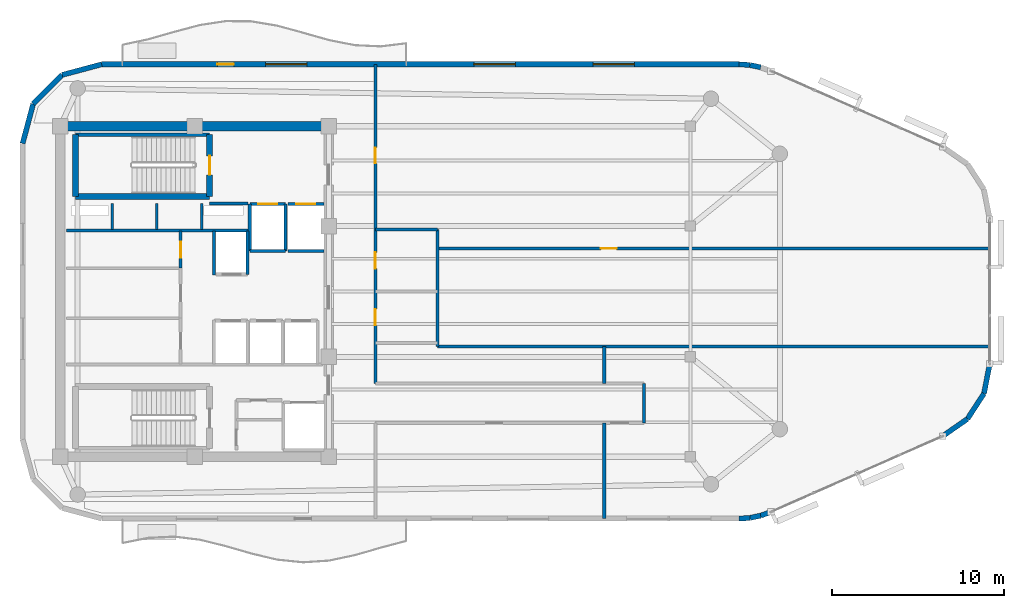
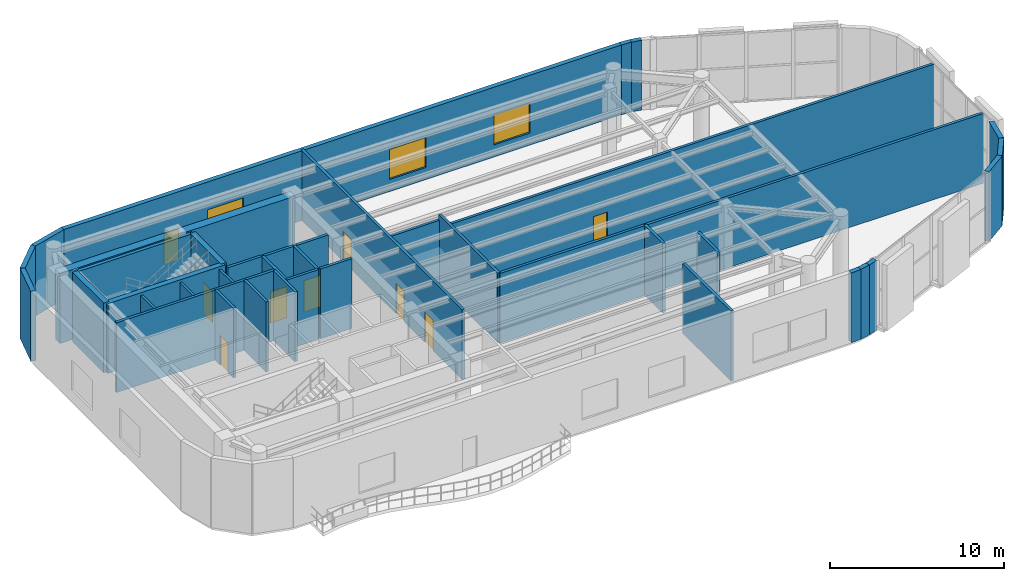
# One storey, part 9 of 12: 39 walls, 9 doors, 3 windows, 12 openings.
"""IFC4 building model written with IfcOpenShell, lengths in metres."""

from ifc_helpers import new_model, si_unit, direction, frame, frame_2d, origin, place, context, subcontext, project, spatial, rectangle, extrude, material, layer, layer_set, type_object, element, fill, save


model = new_model("IFC4")

# Units and contexts
model_context = context("Model", 3, precision=1e-05, world=origin(), true_north=direction((0.0, 1.0)))
body_context = subcontext(model_context, "Body", "Model", "MODEL_VIEW")
ifc_project = project(units=[si_unit("LENGTHUNIT", "METRE"), si_unit("AREAUNIT", "SQUARE_METRE"), si_unit("VOLUMEUNIT", "CUBIC_METRE"), si_unit("PLANEANGLEUNIT", "RADIAN"), si_unit("MASSUNIT", "GRAM", prefix="KILO")], contexts=[model_context])

# Site, building, storey
site_placement = place(None, origin())
site = spatial("IfcSite", under=ifc_project, at=site_placement, CompositionType="ELEMENT")
building_placement = place(site_placement, origin())
building = spatial("IfcBuilding", under=site, at=building_placement, Name="An Khanh Terracotta Commons", CompositionType="ELEMENT")
storey_placement = place(building_placement, frame((0.0, 0.0, 253.699951171875)))
storey = spatial("IfcBuildingStorey", under=building, at=storey_placement, Name="L66", CompositionType="ELEMENT", Elevation=253.699951171875)

# Walls
ifc_material_1 = material(Name="Concrete C50/60", Category="concrete")
ifc_layer_1 = layer(ifc_material_1, 0.550048828125, Name="Concrete C50/60")
ifc_layer_set_1 = layer_set([ifc_layer_1], Name="Concrete C50/60")
wall_type_1 = type_object("IfcWallType", Name="WALL-CORE-550", PredefinedType="SHEAR", material=ifc_layer_set_1)
wall_1_placement = place(storey_placement, frame((21.60009765625, 33.60009765625, 0.0), z_axis=(0.0, 0.0, 1.0), x_axis=(1.0, 0.0, 0.0)))
element("IfcWall", 1, at=wall_1_placement, inside=storey, type_object=wall_type_1, Name="L66 Core Wall CWALL-L66-N", PredefinedType="SHEAR", context=body_context, shape_type="SweptSolid", body=[
    extrude(rectangle(XDim=15.599853515625, YDim=0.550048828125, at=frame_2d((7.7998046875, 0.0))), origin(), (0.0, 0.0, 1.0), 4.900146484375),
])
ifc_material_2 = material(Name="Fire-Rated Gypsum Board on Steel Stud", Category="steel")
ifc_layer_2 = layer(ifc_material_2, 0.179931640625, Name="Fire-Rated Gypsum Board on Steel Stud")
ifc_layer_set_2 = layer_set([ifc_layer_2], Name="Fire-Rated Gypsum Board on Steel Stud")
wall_type_2 = type_object("IfcWallType", Name="WALL-CORR-180", PredefinedType="PARTITIONING", material=ifc_layer_set_2)
wall_2_placement = place(storey_placement, frame((30.27001953125, 29.1201171875, 0.0), z_axis=(0.0, 0.0, 1.0), x_axis=(1.0, 0.0, 0.0)))
element("IfcWall", 2, at=wall_2_placement, inside=storey, type_object=wall_type_2, Name="L66 Core Wall FFLW-L66-S", PredefinedType="PARTITIONING", context=body_context, shape_type="SweptSolid", body=[
    extrude(rectangle(XDim=2.239990234375, YDim=0.179931640625, at=frame_2d((1.1201171875, 0.0))), origin(), (0.0, 0.0, 1.0), 4.900146484375),
])
wall_3_placement = place(storey_placement, frame((21.949951171875, 27.5400390625, 0.0), z_axis=(0.0, 0.0, 1.0), x_axis=(1.0, 0.0, 0.0)))
element("IfcWall", 3, at=wall_3_placement, inside=storey, type_object=wall_type_2, Name="L66 Core Wall RSRW-L66-S", PredefinedType="PARTITIONING", context=body_context, shape_type="SweptSolid", body=[
    extrude(rectangle(XDim=10.56005859375, YDim=0.179931640625, at=frame_2d((5.280029296875, 0.0))), origin(), (0.0, 0.0, 1.0), 4.900146484375),
])

# Wall, opening, door
wall_4_placement = place(storey_placement, frame((32.60009765625, 29.080078125, 0.0), z_axis=(0.0, 0.0, 1.0), x_axis=(1.0, 0.0, 0.0)))
wall_4 = element("IfcWall", 4, at=wall_4_placement, inside=storey, type_object=wall_type_2, Name="L66 Core Wall LSH-L66-FFL-01-N", PredefinedType="PARTITIONING", context=body_context, shape_type="SweptSolid", body=[
    extrude(rectangle(XDim=2.079833984375, YDim=0.179931640625, at=frame_2d((1.0400390625, 0.0))), origin(), (0.0, 0.0, 1.0), 4.900146484375),
])
opening_1_placement = place(wall_4_placement, frame((0.489990234375, 0.0, 0.0)))
opening_1 = element("IfcOpeningElement", 5, at=opening_1_placement, cuts=wall_4, Name="Opening LD-FFL-01-L66", PredefinedType="OPENING", context=body_context, shape_type="SweptSolid", body=[
    extrude(rectangle(XDim=1.10009765625, YDim=2.199951171875, at=frame_2d((0.550048828125, 1.10009765625))), frame((0.0, 0.099853515625, 0.0), z_axis=(0.0, -1.0, 0.0), x_axis=(1.0, 0.0, 0.0)), (0.0, 0.0, 1.0), 0.199951171875),
])
ifc_material_3 = material(Name="Brushed Stainless Steel Fire Landing Door", Category="steel")
door_type_1 = type_object("IfcDoorType", Name="DOOR-LD-FFL-1100", OperationType="NOTDEFINED", PredefinedType="DOOR", material=ifc_material_3)
door_1_placement = place(opening_1_placement, origin())
door_1 = element("IfcDoor", 6, at=door_1_placement, inside=storey, type_object=door_type_1, Name="L66 Lift FFL-01 Sliding Landing Door", OperationType="DOUBLE_DOOR_SLIDING", OverallHeight=2.199951171875, OverallWidth=1.10009765625, PredefinedType="DOOR", context=body_context, shape_type="SweptSolid", body=[
    extrude(rectangle(XDim=1.10009765625, YDim=2.199951171875, at=frame_2d((0.550048828125, 1.10009765625))), frame((0.0, 0.02490234375, 0.0), z_axis=(0.0, -1.0, 0.0), x_axis=(1.0, 0.0, 0.0)), (0.0, 0.0, 1.0), 0.050048828125),
])
fill(opening_1, door_1)

# Walls
wall_5_placement = place(storey_placement, frame((34.679931640625, 26.35009765625, 0.0), z_axis=(0.0, 0.0, 1.0), x_axis=(-1.0, 0.0, 0.0)))
element("IfcWall", 7, at=wall_5_placement, inside=storey, type_object=wall_type_2, Name="L66 Core Wall LSH-L66-FFL-01-S", PredefinedType="PARTITIONING", context=body_context, shape_type="SweptSolid", body=[
    extrude(rectangle(XDim=2.079833984375, YDim=0.179931640625, at=frame_2d((1.0400390625, 0.0))), origin(), (0.0, 0.0, 1.0), 4.900146484375),
])
for number, where, z_axis, x_axis, name in (
    (8, (34.679931640625, 26.35009765625, 0.0), (0.0, 0.0, 1.0), (0.0, 1.0, 0.0), "L66 Core Wall LSH-L66-FFL-01-E"),
    (9, (32.60009765625, 29.080078125, 0.0), (0.0, 0.0, 1.0), (0.0, -1.0, 0.0), "L66 Core Wall LSH-L66-FFL-01-W"),
):
    element("IfcWall", number, at=place(storey_placement, frame(where, z_axis=z_axis, x_axis=x_axis)), inside=storey, type_object=wall_type_2, Name=name, PredefinedType="PARTITIONING", context=body_context, shape_type="SweptSolid", body=[
        extrude(rectangle(XDim=2.72998046875, YDim=0.179931640625, at=frame_2d((1.364990234375, 0.0))), origin(), (0.0, 0.0, 1.0), 4.900146484375),
    ])

# Wall, opening, door
wall_6_placement = place(storey_placement, frame((34.820068359375, 29.080078125, 0.0), z_axis=(0.0, 0.0, 1.0), x_axis=(1.0, 0.0, 0.0)))
wall_6 = element("IfcWall", 10, at=wall_6_placement, inside=storey, type_object=wall_type_2, Name="L66 Core Wall LSH-L66-FFL-02-N", PredefinedType="PARTITIONING", context=body_context, shape_type="SweptSolid", body=[
    extrude(rectangle(XDim=2.079833984375, YDim=0.179931640625, at=frame_2d((1.0400390625, 0.0))), origin(), (0.0, 0.0, 1.0), 4.900146484375),
])
opening_2_placement = place(wall_6_placement, frame((0.489990234375, 0.0, 0.0)))
opening_2 = element("IfcOpeningElement", 11, at=opening_2_placement, cuts=wall_6, Name="Opening LD-FFL-02-L66", PredefinedType="OPENING", context=body_context, shape_type="SweptSolid", body=[
    extrude(rectangle(XDim=1.10009765625, YDim=2.199951171875, at=frame_2d((0.550048828125, 1.10009765625))), frame((0.0, 0.099853515625, 0.0), z_axis=(0.0, -1.0, 0.0), x_axis=(1.0, 0.0, 0.0)), (0.0, 0.0, 1.0), 0.199951171875),
])
door_2_placement = place(opening_2_placement, origin())
door_2 = element("IfcDoor", 12, at=door_2_placement, inside=storey, type_object=door_type_1, Name="L66 Lift FFL-02 Sliding Landing Door", OperationType="DOUBLE_DOOR_SLIDING", OverallHeight=2.199951171875, OverallWidth=1.10009765625, PredefinedType="DOOR", context=body_context, shape_type="SweptSolid", body=[
    extrude(rectangle(XDim=1.10009765625, YDim=2.199951171875, at=frame_2d((0.550048828125, 1.10009765625))), frame((0.0, 0.02490234375, 0.0), z_axis=(0.0, -1.0, 0.0), x_axis=(1.0, 0.0, 0.0)), (0.0, 0.0, 1.0), 0.050048828125),
])
fill(opening_2, door_2)

# Walls
wall_7_placement = place(storey_placement, frame((36.89990234375, 26.35009765625, 0.0), z_axis=(0.0, 0.0, 1.0), x_axis=(-1.0, 0.0, 0.0)))
element("IfcWall", 13, at=wall_7_placement, inside=storey, type_object=wall_type_2, Name="L66 Core Wall LSH-L66-FFL-02-S", PredefinedType="PARTITIONING", context=body_context, shape_type="SweptSolid", body=[
    extrude(rectangle(XDim=2.079833984375, YDim=0.179931640625, at=frame_2d((1.0400390625, 0.0))), origin(), (0.0, 0.0, 1.0), 4.900146484375),
])
wall_8_placement = place(storey_placement, frame((32.4599609375, 25.0, 0.0), z_axis=(0.0, 0.0, 1.0), x_axis=(0.0, 1.0, 0.0)))
element("IfcWall", 14, at=wall_8_placement, inside=storey, type_object=wall_type_2, Name="L66 Core Wall LSH-L66-PL-H1-E", PredefinedType="PARTITIONING", context=body_context, shape_type="SweptSolid", body=[
    extrude(rectangle(XDim=2.5, YDim=0.179931640625, at=frame_2d((1.25, 0.0))), origin(), (0.0, 0.0, 1.0), 4.900146484375),
])
wall_9_placement = place(storey_placement, frame((30.52001953125, 24.949951171875, 0.0), z_axis=(0.0, 0.0, 1.0), x_axis=(0.0, 1.0, 0.0)))
element("IfcWall", 15, at=wall_9_placement, inside=storey, type_object=wall_type_2, Name="L66 Core Wall RECW-L66-BE1", PredefinedType="PARTITIONING", context=body_context, shape_type="SweptSolid", body=[
    extrude(rectangle(XDim=2.550048828125, YDim=0.179931640625, at=frame_2d((1.27490234375, 0.0))), origin(), (0.0, 0.0, 1.0), 4.900146484375),
])

# Wall, opening, door
wall_10_placement = place(storey_placement, frame((28.580078125, 25.35009765625, 0.0), z_axis=(0.0, 0.0, 1.0), x_axis=(0.0, 1.0, 0.0)))
wall_10 = element("IfcWall", 16, at=wall_10_placement, inside=storey, type_object=wall_type_2, Name="L66 Core Wall RECW-L66-E1", PredefinedType="PARTITIONING", context=body_context, shape_type="SweptSolid", body=[
    extrude(rectangle(XDim=2.14990234375, YDim=0.179931640625, at=frame_2d((1.074951171875, 0.0))), origin(), (0.0, 0.0, 1.0), 4.900146484375),
])
opening_3_placement = place(wall_10_placement, frame((0.614990234375, 0.0, 0.0)))
opening_3 = element("IfcOpeningElement", 17, at=opening_3_placement, cuts=wall_10, Name="Opening D-RM", PredefinedType="OPENING", context=body_context, shape_type="SweptSolid", body=[
    extrude(rectangle(XDim=0.919921875, YDim=2.10009765625, at=frame_2d((0.4599609375, 1.050048828125))), frame((0.0, 0.099853515625, 0.0), z_axis=(0.0, -1.0, 0.0), x_axis=(1.0, 0.0, 0.0)), (0.0, 0.0, 1.0), 0.199951171875),
])
ifc_material_4 = material(Name="Engineered Hardwood Timber Leaf", Category="wood")
door_type_2 = type_object("IfcDoorType", Name="DOOR-INT-920", OperationType="NOTDEFINED", PredefinedType="DOOR", material=ifc_material_4)
door_3_placement = place(opening_3_placement, origin())
door_3 = element("IfcDoor", 18, at=door_3_placement, inside=storey, type_object=door_type_2, Name="L66 Quiet Focus Pod Door", OperationType="SINGLE_SWING_LEFT", OverallHeight=2.10009765625, OverallWidth=0.919921875, PredefinedType="DOOR", context=body_context, shape_type="SweptSolid", body=[
    extrude(rectangle(XDim=0.919921875, YDim=2.10009765625, at=frame_2d((0.4599609375, 1.050048828125))), frame((0.0, 0.02490234375, 0.0), z_axis=(0.0, -1.0, 0.0), x_axis=(1.0, 0.0, 0.0)), (0.0, 0.0, 1.0), 0.050048828125),
])
fill(opening_3, door_3)

# Wall
wall_11_placement = place(storey_placement, frame((43.5, 20.800048828125, 0.0), z_axis=(0.0, 0.0, 1.0), x_axis=(1.0, 0.0, 0.0)))
element("IfcWall", 19, at=wall_11_placement, inside=storey, type_object=wall_type_2, Name="L66 Interior Partition IW-L66-E003", PredefinedType="PARTITIONING", context=body_context, shape_type="SweptSolid", body=[
    extrude(rectangle(XDim=32.10009765625, YDim=0.179931640625, at=frame_2d((16.050048828125, 0.0))), origin(), (0.0, 0.0, 1.0), 4.900146484375),
])

# Wall, opening, door
wall_12_placement = place(storey_placement, frame((43.5, 26.5, 0.0), z_axis=(0.0, 0.0, 1.0), x_axis=(1.0, 0.0, 0.0)))
wall_12 = element("IfcWall", 20, at=wall_12_placement, inside=storey, type_object=wall_type_2, Name="L66 Interior Partition IW-L66-E006", PredefinedType="PARTITIONING", context=body_context, shape_type="SweptSolid", body=[
    extrude(rectangle(XDim=32.10009765625, YDim=0.179931640625, at=frame_2d((16.050048828125, 0.0))), origin(), (0.0, 0.0, 1.0), 4.900146484375),
])
opening_4_placement = place(wall_12_placement, frame((9.501953125, 0.0, 0.0)))
opening_4 = element("IfcOpeningElement", 21, at=opening_4_placement, cuts=wall_12, Name="Opening D-RM", PredefinedType="OPENING", context=body_context, shape_type="SweptSolid", body=[
    extrude(rectangle(XDim=0.919921875, YDim=2.10009765625, at=frame_2d((0.4599609375, 1.050048828125))), frame((0.0, 0.099853515625, 0.0), z_axis=(0.0, -1.0, 0.0), x_axis=(1.0, 0.0, 0.0)), (0.0, 0.0, 1.0), 0.199951171875),
])
door_4_placement = place(opening_4_placement, origin())
door_4 = element("IfcDoor", 22, at=door_4_placement, inside=storey, type_object=door_type_2, Name="L66 SKIT Upper Sky Culinary Kitchen Door", OperationType="SINGLE_SWING_LEFT", OverallHeight=2.10009765625, OverallWidth=0.919921875, PredefinedType="DOOR", context=body_context, shape_type="SweptSolid", body=[
    extrude(rectangle(XDim=0.919921875, YDim=2.10009765625, at=frame_2d((0.4599609375, 1.050048828125))), frame((0.0, 0.02490234375, 0.0), z_axis=(0.0, -1.0, 0.0), x_axis=(1.0, 0.0, 0.0)), (0.0, 0.0, 1.0), 0.050048828125),
])
fill(opening_4, door_4)

# Wall
wall_13_placement = place(storey_placement, frame((39.89990234375, 27.60009765625, 0.0), z_axis=(0.0, 0.0, 1.0), x_axis=(1.0, 0.0, 0.0)))
element("IfcWall", 23, at=wall_13_placement, inside=storey, type_object=wall_type_2, Name="L66 Interior Partition IW-L66-E007", PredefinedType="PARTITIONING", context=body_context, shape_type="SweptSolid", body=[
    extrude(rectangle(XDim=3.60009765625, YDim=0.179931640625, at=frame_2d((1.800048828125, 0.0))), origin(), (0.0, 0.0, 1.0), 4.5419921875),
])

# Wall, openings, doors
wall_14_placement = place(storey_placement, frame((39.89990234375, 18.64990234375, 0.0), z_axis=(0.0, 0.0, 1.0), x_axis=(0.0, 1.0, 0.0)))
wall_14 = element("IfcWall", 24, at=wall_14_placement, inside=storey, type_object=wall_type_2, Name="L66 Interior Partition IW-L66-E009", PredefinedType="PARTITIONING", context=body_context, shape_type="SweptSolid", body=[
    extrude(rectangle(XDim=18.550048828125, YDim=0.179931640625, at=frame_2d((9.27490234375, 0.0))), origin(), (0.0, 0.0, 1.0), 4.900146484375),
])
opening_5_placement = place(wall_14_placement, frame((3.375, 0.0, 0.0)))
opening_5 = element("IfcOpeningElement", 25, at=opening_5_placement, cuts=wall_14, Name="Opening D-LWC", PredefinedType="OPENING", context=body_context, shape_type="SweptSolid", body=[
    extrude(rectangle(XDim=0.949951171875, YDim=2.14990234375, at=frame_2d((0.47509765625, 1.074951171875))), frame((0.0, 0.099853515625, 0.0), z_axis=(0.0, -1.0, 0.0), x_axis=(1.0, 0.0, 0.0)), (0.0, 0.0, 1.0), 0.199951171875),
])
opening_6_placement = place(wall_14_placement, frame((6.675048828125, 0.0, 0.0)))
opening_6 = element("IfcOpeningElement", 26, at=opening_6_placement, cuts=wall_14, Name="Opening D-LWC", PredefinedType="OPENING", context=body_context, shape_type="SweptSolid", body=[
    extrude(rectangle(XDim=0.949951171875, YDim=2.14990234375, at=frame_2d((0.47509765625, 1.074951171875))), frame((0.0, 0.099853515625, 0.0), z_axis=(0.0, -1.0, 0.0), x_axis=(1.0, 0.0, 0.0)), (0.0, 0.0, 1.0), 0.199951171875),
])
opening_7_placement = place(wall_14_placement, frame((12.7900390625, 0.0, 0.0)))
opening_7 = element("IfcOpeningElement", 27, at=opening_7_placement, cuts=wall_14, Name="Opening D-RM", PredefinedType="OPENING", context=body_context, shape_type="SweptSolid", body=[
    extrude(rectangle(XDim=0.919921875, YDim=2.10009765625, at=frame_2d((0.4599609375, 1.050048828125))), frame((0.0, 0.099853515625, 0.0), z_axis=(0.0, -1.0, 0.0), x_axis=(1.0, 0.0, 0.0)), (0.0, 0.0, 1.0), 0.199951171875),
])
door_5_placement = place(opening_7_placement, origin())
door_5 = element("IfcDoor", 28, at=door_5_placement, inside=storey, type_object=door_type_2, Name="L66 SLNG Horizon Quiet Reading Room Door", OperationType="SINGLE_SWING_RIGHT", OverallHeight=2.10009765625, OverallWidth=0.919921875, PredefinedType="DOOR", context=body_context, shape_type="SweptSolid", body=[
    extrude(rectangle(XDim=0.919921875, YDim=2.10009765625, at=frame_2d((0.4599609375, 1.050048828125))), frame((0.0, 0.02490234375, 0.0), z_axis=(0.0, -1.0, 0.0), x_axis=(1.0, 0.0, 0.0)), (0.0, 0.0, 1.0), 0.050048828125),
])
fill(opening_7, door_5)
ifc_material_5 = material(Name="Fire-Rated Moisture-Resistant Laminate Timber Leaf", Category="wood")
door_type_3 = type_object("IfcDoorType", Name="DOOR-LOBWC-950", OperationType="NOTDEFINED", PredefinedType="DOOR", material=ifc_material_5)
door_6_placement = place(opening_5_placement, origin())
door_6 = element("IfcDoor", 29, at=door_6_placement, inside=storey, type_object=door_type_3, Name="L66 AWC Sky Lobby Accessible WC Door", OperationType="SINGLE_SWING_RIGHT", OverallHeight=2.14990234375, OverallWidth=0.949951171875, PredefinedType="DOOR", context=body_context, shape_type="SweptSolid", body=[
    extrude(rectangle(XDim=0.949951171875, YDim=2.14990234375, at=frame_2d((0.47509765625, 1.074951171875))), frame((0.0, 0.02490234375, 0.0), z_axis=(0.0, -1.0, 0.0), x_axis=(1.0, 0.0, 0.0)), (0.0, 0.0, 1.0), 0.050048828125),
])
fill(opening_5, door_6)
door_7_placement = place(opening_6_placement, origin())
door_7 = element("IfcDoor", 30, at=door_7_placement, inside=storey, type_object=door_type_3, Name="L66 WCB Sky Lobby Public Restrooms Door", OperationType="SINGLE_SWING_LEFT", OverallHeight=2.14990234375, OverallWidth=0.949951171875, PredefinedType="DOOR", context=body_context, shape_type="SweptSolid", body=[
    extrude(rectangle(XDim=0.949951171875, YDim=2.14990234375, at=frame_2d((0.47509765625, 1.074951171875))), frame((0.0, 0.02490234375, 0.0), z_axis=(0.0, -1.0, 0.0), x_axis=(1.0, 0.0, 0.0)), (0.0, 0.0, 1.0), 0.050048828125),
])
fill(opening_6, door_7)

# Walls
wall_15_placement = place(storey_placement, frame((43.5, 20.800048828125, 0.0), z_axis=(0.0, 0.0, 1.0), x_axis=(0.0, 1.0, 0.0)))
element("IfcWall", 31, at=wall_15_placement, inside=storey, type_object=wall_type_2, Name="L66 Interior Partition IW-L66-E010", PredefinedType="PARTITIONING", context=body_context, shape_type="SweptSolid", body=[
    extrude(rectangle(XDim=6.800048828125, YDim=0.179931640625, at=frame_2d((3.39990234375, 0.0))), origin(), (0.0, 0.0, 1.0), 4.900146484375),
])
wall_16_placement = place(storey_placement, frame((53.199951171875, 10.800048828125, 0.0), z_axis=(0.0, 0.0, 1.0), x_axis=(0.0, 1.0, 0.0)))
element("IfcWall", 32, at=wall_16_placement, inside=storey, type_object=wall_type_2, Name="L66 Interior Partition IW-L66-E011", PredefinedType="PARTITIONING", context=body_context, shape_type="SweptSolid", body=[
    extrude(rectangle(XDim=5.550048828125, YDim=0.179931640625, at=frame_2d((2.77490234375, 0.0))), origin(), (0.0, 0.0, 1.0), 4.900146484375),
])
wall_17_placement = place(storey_placement, frame((53.199951171875, 18.64990234375, 0.0), z_axis=(0.0, 0.0, 1.0), x_axis=(0.0, 1.0, 0.0)))
element("IfcWall", 33, at=wall_17_placement, inside=storey, type_object=wall_type_2, Name="L66 Interior Partition IW-L66-E012", PredefinedType="PARTITIONING", context=body_context, shape_type="SweptSolid", body=[
    extrude(rectangle(XDim=2.150146484375, YDim=0.179931640625, at=frame_2d((1.0751953125, 0.0))), origin(), (0.0, 0.0, 1.0), 4.900146484375),
])
wall_18_placement = place(storey_placement, frame((55.5, 16.35009765625, 0.0), z_axis=(0.0, 0.0, 1.0), x_axis=(0.0, 1.0, 0.0)))
element("IfcWall", 34, at=wall_18_placement, inside=storey, type_object=wall_type_2, Name="L66 Interior Partition IW-L66-E013", PredefinedType="PARTITIONING", context=body_context, shape_type="SweptSolid", body=[
    extrude(rectangle(XDim=2.2998046875, YDim=0.179931640625, at=frame_2d((1.14990234375, 0.0))), origin(), (0.0, 0.0, 1.0), 4.900146484375),
])
ifc_material_6 = material(Name="Precast concrete C40/50", Category="concrete")
ifc_layer_3 = layer(ifc_material_6, 0.300048828125, Name="Precast concrete C40/50")
ifc_layer_set_3 = layer_set([ifc_layer_3], Name="Precast concrete C40/50")
wall_type_3 = type_object("IfcWallType", Name="WALL-EXT-300", PredefinedType="SOLIDWALL", material=ifc_layer_set_3)
wall_19_placement = place(storey_placement, frame((61.030029296875, 10.800048828125, 0.0), z_axis=(0.0, 0.0, 1.0), x_axis=(0.997613959688, 0.069039028352, 0.0)))
element("IfcWall", 35, at=wall_19_placement, inside=storey, type_object=wall_type_3, Name="L66 Insulated Terracotta Exterior Wall 5", PredefinedType="SOLIDWALL", context=body_context, shape_type="SweptSolid", body=[
    extrude(rectangle(XDim=0.636474609375, YDim=0.300048828125, at=frame_2d((0.318359375, 0.0))), origin(), (0.0, 0.0, 1.0), 4.900146484375),
])
wall_20_placement = place(storey_placement, frame((61.6650390625, 10.843994140625, 0.0), z_axis=(0.0, 0.0, 1.0), x_axis=(0.97857012251, 0.205913854149, 0.0)))
element("IfcWall", 36, at=wall_20_placement, inside=storey, type_object=wall_type_3, Name="L66 Insulated Terracotta Exterior Wall 6", PredefinedType="SOLIDWALL", context=body_context, shape_type="SweptSolid", body=[
    extrude(rectangle(XDim=0.63671875, YDim=0.300048828125, at=frame_2d((0.318359375, 0.0))), origin(), (0.0, 0.0, 1.0), 4.900146484375),
])
wall_21_placement = place(storey_placement, frame((62.2880859375, 10.97509765625, 0.0), z_axis=(0.0, 0.0, 1.0), x_axis=(0.94077491148, 0.339031806665, 0.0)))
element("IfcWall", 37, at=wall_21_placement, inside=storey, type_object=wall_type_3, Name="L66 Insulated Terracotta Exterior Wall 7", PredefinedType="SOLIDWALL", context=body_context, shape_type="SweptSolid", body=[
    extrude(rectangle(XDim=0.636474609375, YDim=0.300048828125, at=frame_2d((0.318359375, 0.0))), origin(), (0.0, 0.0, 1.0), 4.900146484375),
])
wall_22_placement = place(storey_placement, frame((72.85693359375, 15.590087890625, 0.0), z_axis=(0.0, 0.0, 1.0), x_axis=(0.821006966142, 0.570918174124, 0.0)))
element("IfcWall", 38, at=wall_22_placement, inside=storey, type_object=wall_type_3, Name="L66 Insulated Terracotta Exterior Wall 9", PredefinedType="SOLIDWALL", context=body_context, shape_type="SweptSolid", body=[
    extrude(rectangle(XDim=1.760009765625, YDim=0.300048828125, at=frame_2d((0.8798828125, 0.0))), origin(), (0.0, 0.0, 1.0), 4.900146484375),
])
for number, where, z_axis, x_axis, name in (
    (39, (74.302001953125, 16.594970703125, 0.0), (0.0, 0.0, 1.0), (0.545836224831, 0.837891887813, 0.0), "L66 Insulated Terracotta Exterior Wall 10"),
    (40, (75.262939453125, 18.070068359375, 0.0), (0.0, 0.0, 1.0), (0.1915005851, 0.981492499159, 0.0), "L66 Insulated Terracotta Exterior Wall 11"),
):
    element("IfcWall", number, at=place(storey_placement, frame(where, z_axis=z_axis, x_axis=x_axis)), inside=storey, type_object=wall_type_3, Name=name, PredefinedType="SOLIDWALL", context=body_context, shape_type="SweptSolid", body=[
        extrude(rectangle(XDim=1.760498046875, YDim=0.300048828125, at=frame_2d((0.88037109375, 0.0))), origin(), (0.0, 0.0, 1.0), 4.900146484375),
    ])
wall_23_placement = place(storey_placement, frame((62.2880859375, 37.02490234375, 0.0), z_axis=(0.0, 0.0, 1.0), x_axis=(-0.97857012251, 0.205913854149, 0.0)))
element("IfcWall", 41, at=wall_23_placement, inside=storey, type_object=wall_type_3, Name="L66 Insulated Terracotta Exterior Wall 18", PredefinedType="SOLIDWALL", context=body_context, shape_type="SweptSolid", body=[
    extrude(rectangle(XDim=0.63671875, YDim=0.300048828125, at=frame_2d((0.318359375, 0.0))), origin(), (0.0, 0.0, 1.0), 4.900146484375),
])
wall_24_placement = place(storey_placement, frame((61.6650390625, 37.156005859375, 0.0), z_axis=(0.0, 0.0, 1.0), x_axis=(-0.997613959688, 0.069039028352, 0.0)))
element("IfcWall", 42, at=wall_24_placement, inside=storey, type_object=wall_type_3, Name="L66 Insulated Terracotta Exterior Wall 19", PredefinedType="SOLIDWALL", context=body_context, shape_type="SweptSolid", body=[
    extrude(rectangle(XDim=0.636474609375, YDim=0.300048828125, at=frame_2d((0.318359375, 0.0))), origin(), (0.0, 0.0, 1.0), 4.900146484375),
])

# Wall, openings, door, windows
wall_25_placement = place(storey_placement, frame((61.030029296875, 37.199951171875, 0.0), z_axis=(0.0, 0.0, 1.0), x_axis=(-1.0, 0.0, 0.0)))
wall_25 = element("IfcWall", 43, at=wall_25_placement, inside=storey, type_object=wall_type_3, Name="L66 Insulated Terracotta Exterior Wall 20", PredefinedType="SOLIDWALL", context=body_context, shape_type="SweptSolid", body=[
    extrude(rectangle(XDim=37.030029296875, YDim=0.300048828125, at=frame_2d((18.51513671875, 0.0))), origin(), (0.0, 0.0, 1.0), 4.900146484375),
])
opening_8_placement = place(wall_25_placement, frame((29.35498046875, 0.0, 0.0)))
opening_8 = element("IfcOpeningElement", 44, at=opening_8_placement, cuts=wall_25, Name="Opening D-BAL", PredefinedType="OPENING", context=body_context, shape_type="SweptSolid", body=[
    extrude(rectangle(XDim=0.949951171875, YDim=2.199951171875, at=frame_2d((0.47509765625, 1.10009765625))), frame((0.0, 0.159912109375, 0.0), z_axis=(0.0, -1.0, 0.0), x_axis=(1.0, 0.0, 0.0)), (0.0, 0.0, 1.0), 0.320068359375),
])
opening_9_placement = place(wall_25_placement, frame((6.076904296875, 0.0, 0.85009765625)))
opening_9 = element("IfcOpeningElement", 45, at=opening_9_placement, cuts=wall_25, Name="Opening W-07", PredefinedType="OPENING", context=body_context, shape_type="SweptSolid", body=[
    extrude(rectangle(XDim=2.39990234375, YDim=2.10009765625, at=frame_2d((1.199951171875, 1.050048828125))), frame((0.0, 0.159912109375, 0.0), z_axis=(0.0, -1.0, 0.0), x_axis=(1.0, 0.0, 0.0)), (0.0, 0.0, 1.0), 0.320068359375),
])
opening_10_placement = place(wall_25_placement, frame((13.0029296875, 0.0, 0.85009765625)))
opening_10 = element("IfcOpeningElement", 46, at=opening_10_placement, cuts=wall_25, Name="Opening W-07", PredefinedType="OPENING", context=body_context, shape_type="SweptSolid", body=[
    extrude(rectangle(XDim=2.39990234375, YDim=2.10009765625, at=frame_2d((1.199951171875, 1.050048828125))), frame((0.0, 0.159912109375, 0.0), z_axis=(0.0, -1.0, 0.0), x_axis=(1.0, 0.0, 0.0)), (0.0, 0.0, 1.0), 0.320068359375),
])
opening_11_placement = place(wall_25_placement, frame((25.113037109375, 0.0, 0.85009765625)))
opening_11 = element("IfcOpeningElement", 47, at=opening_11_placement, cuts=wall_25, Name="Opening W-07", PredefinedType="OPENING", context=body_context, shape_type="SweptSolid", body=[
    extrude(rectangle(XDim=2.39990234375, YDim=2.10009765625, at=frame_2d((1.199951171875, 1.050048828125))), frame((0.0, 0.159912109375, 0.0), z_axis=(0.0, -1.0, 0.0), x_axis=(1.0, 0.0, 0.0)), (0.0, 0.0, 1.0), 0.320068359375),
])
ifc_material_7 = material(Name="Thermally Broken Aluminium and Low-E Glass", Category="aluminium")
door_type_4 = type_object("IfcDoorType", Name="DOOR-BALC-950", OperationType="NOTDEFINED", PredefinedType="DOOR", material=ifc_material_7)
door_8_placement = place(opening_8_placement, origin())
door_8 = element("IfcDoor", 48, at=door_8_placement, inside=storey, type_object=door_type_4, Name="L66 N Wave Balcony Glazed Door", OperationType="SINGLE_SWING_RIGHT", OverallHeight=2.199951171875, OverallWidth=0.949951171875, PredefinedType="DOOR", context=body_context, shape_type="SweptSolid", body=[
    extrude(rectangle(XDim=0.949951171875, YDim=2.199951171875, at=frame_2d((0.47509765625, 1.10009765625))), frame((0.0, 0.02490234375, 0.0), z_axis=(0.0, -1.0, 0.0), x_axis=(1.0, 0.0, 0.0)), (0.0, 0.0, 1.0), 0.050048828125),
])
fill(opening_8, door_8)
window_type = type_object("IfcWindowType", Name="WIN-SKY-2400x2100", PartitioningType="TRIPLE_PANEL_VERTICAL", PredefinedType="WINDOW", material=ifc_material_7)
window_1_placement = place(opening_9_placement, origin())
window_1 = element("IfcWindow", 49, at=window_1_placement, inside=storey, type_object=window_type, Name="L66 Operable Casement Window 20.1", OverallHeight=2.10009765625, OverallWidth=2.39990234375, PartitioningType="TRIPLE_PANEL_VERTICAL", PredefinedType="WINDOW", context=body_context, shape_type="SweptSolid", body=[
    extrude(rectangle(XDim=2.39990234375, YDim=2.10009765625, at=frame_2d((1.199951171875, 1.050048828125))), frame((0.0, 0.030029296875, 0.0), z_axis=(0.0, -1.0, 0.0), x_axis=(1.0, 0.0, 0.0)), (0.0, 0.0, 1.0), 0.06005859375),
])
fill(opening_9, window_1)
window_2_placement = place(opening_10_placement, origin())
window_2 = element("IfcWindow", 50, at=window_2_placement, inside=storey, type_object=window_type, Name="L66 Operable Casement Window 20.2", OverallHeight=2.10009765625, OverallWidth=2.39990234375, PartitioningType="TRIPLE_PANEL_VERTICAL", PredefinedType="WINDOW", context=body_context, shape_type="SweptSolid", body=[
    extrude(rectangle(XDim=2.39990234375, YDim=2.10009765625, at=frame_2d((1.199951171875, 1.050048828125))), frame((0.0, 0.030029296875, 0.0), z_axis=(0.0, -1.0, 0.0), x_axis=(1.0, 0.0, 0.0)), (0.0, 0.0, 1.0), 0.06005859375),
])
fill(opening_10, window_2)
window_3_placement = place(opening_11_placement, origin())
window_3 = element("IfcWindow", 51, at=window_3_placement, inside=storey, type_object=window_type, Name="L66 Operable Casement Window 20.3", OverallHeight=2.10009765625, OverallWidth=2.39990234375, PartitioningType="TRIPLE_PANEL_VERTICAL", PredefinedType="WINDOW", context=body_context, shape_type="SweptSolid", body=[
    extrude(rectangle(XDim=2.39990234375, YDim=2.10009765625, at=frame_2d((1.199951171875, 1.050048828125))), frame((0.0, 0.030029296875, 0.0), z_axis=(0.0, -1.0, 0.0), x_axis=(1.0, 0.0, 0.0)), (0.0, 0.0, 1.0), 0.06005859375),
])
fill(opening_11, window_3)

# Walls
wall_26_placement = place(storey_placement, frame((24.0, 37.199951171875, 0.0), z_axis=(0.0, 0.0, 1.0), x_axis=(-0.965960405575, -0.25868995895, 0.0)))
element("IfcWall", 52, at=wall_26_placement, inside=storey, type_object=wall_type_3, Name="L66 Insulated Terracotta Exterior Wall 21", PredefinedType="SOLIDWALL", context=body_context, shape_type="SweptSolid", body=[
    extrude(rectangle(XDim=2.381103515625, YDim=0.300048828125, at=frame_2d((1.1904296875, 0.0))), origin(), (0.0, 0.0, 1.0), 4.900146484375),
])
wall_27_placement = place(storey_placement, frame((21.699951171875, 36.583984375, 0.0), z_axis=(0.0, 0.0, 1.0), x_axis=(-0.707055521135, -0.707158037522, 0.0)))
element("IfcWall", 53, at=wall_27_placement, inside=storey, type_object=wall_type_3, Name="L66 Insulated Terracotta Exterior Wall 22", PredefinedType="SOLIDWALL", context=body_context, shape_type="SweptSolid", body=[
    extrude(rectangle(XDim=2.381591796875, YDim=0.300048828125, at=frame_2d((1.19091796875, 0.0))), origin(), (0.0, 0.0, 1.0), 4.900146484375),
])
wall_28_placement = place(storey_placement, frame((20.01611328125, 34.89990234375, 0.0), z_axis=(0.0, 0.0, 1.0), x_axis=(-0.258811258154, -0.965927912762, 0.0)))
element("IfcWall", 54, at=wall_28_placement, inside=storey, type_object=wall_type_3, Name="L66 Insulated Terracotta Exterior Wall 23", PredefinedType="SOLIDWALL", context=body_context, shape_type="SweptSolid", body=[
    extrude(rectangle(XDim=2.380859375, YDim=0.300048828125, at=frame_2d((1.1904296875, 0.0))), origin(), (0.0, 0.0, 1.0), 4.900146484375),
])
ifc_material_8 = material(Name="Acoustic Gypsum Board Partition")
ifc_layer_4 = layer(ifc_material_8, 0.14990234375, Name="Acoustic Gypsum Board Partition")
ifc_layer_set_4 = layer_set([ifc_layer_4], Name="Acoustic Gypsum Board Partition")
wall_type_4 = type_object("IfcWallType", Name="WALL-PART-150", PredefinedType="PARTITIONING", material=ifc_layer_set_4)
for number, where, z_axis, x_axis, name in (
    (55, (24.60009765625, 27.60009765625, 0.0), (0.0, 0.0, 1.0), (0.0, 1.0, 0.0), "L66 Core Wall RSRW-L66-D1"),
    (56, (27.199951171875, 27.60009765625, 0.0), (0.0, 0.0, 1.0), (0.0, 1.0, 0.0), "L66 Core Wall RSRW-L66-D2"),
    (57, (29.800048828125, 27.60009765625, 0.0), (0.0, 0.0, 1.0), (0.0, 1.0, 0.0), "L66 Core Wall RSRW-L66-D3"),
):
    element("IfcWall", number, at=place(storey_placement, frame(where, z_axis=z_axis, x_axis=x_axis)), inside=storey, type_object=wall_type_4, Name=name, PredefinedType="PARTITIONING", context=body_context, shape_type="SweptSolid", body=[
        extrude(rectangle(XDim=1.52001953125, YDim=0.14990234375, at=frame_2d((0.760009765625, 0.0))), origin(), (0.0, 0.0, 1.0), 4.900146484375),
    ])
ifc_material_9 = material(Name="Acoustic Double-Stud Gypsum and Mineral Wool")
ifc_layer_5 = layer(ifc_material_9, 0.219970703125, Name="Acoustic Double-Stud Gypsum and Mineral Wool")
ifc_layer_set_5 = layer_set([ifc_layer_5], Name="Acoustic Double-Stud Gypsum and Mineral Wool")
wall_type_5 = type_object("IfcWallType", Name="WALL-PARTY-220", PredefinedType="PARTITIONING", material=ifc_layer_set_5)
wall_29_placement = place(storey_placement, frame((22.47998046875, 33.110107421875, 0.0), z_axis=(0.0, 0.0, 1.0), x_axis=(1.0, 0.0, 0.0)))
element("IfcWall", 58, at=wall_29_placement, inside=storey, type_object=wall_type_5, Name="L66 Core Wall STW-L66-N-N", PredefinedType="PARTITIONING", context=body_context, shape_type="SweptSolid", body=[
    extrude(rectangle(XDim=7.7900390625, YDim=0.219970703125, at=frame_2d((3.89501953125, 0.0))), origin(), (0.0, 0.0, 1.0), 4.900146484375),
])
ifc_layer_6 = layer(ifc_material_1, 0.35009765625, Name="Concrete C50/60")
ifc_layer_set_6 = layer_set([ifc_layer_6], Name="Concrete C50/60")
wall_type_6 = type_object("IfcWallType", Name="WALL-SHAFT-350", PredefinedType="SOLIDWALL", material=ifc_layer_set_6)
wall_30_placement = place(storey_placement, frame((22.47998046875, 29.530029296875, 0.0), z_axis=(0.0, 0.0, 1.0), x_axis=(1.0, 0.0, 0.0)))
element("IfcWall", 59, at=wall_30_placement, inside=storey, type_object=wall_type_6, Name="L66 Core Wall STW-L66-N-S", PredefinedType="SOLIDWALL", context=body_context, shape_type="SweptSolid", body=[
    extrude(rectangle(XDim=7.7900390625, YDim=0.35009765625, at=frame_2d((3.89501953125, 0.0))), origin(), (0.0, 0.0, 1.0), 4.900146484375),
])
wall_31_placement = place(storey_placement, frame((22.47998046875, 29.530029296875, 0.0), z_axis=(0.0, 0.0, 1.0), x_axis=(0.0, 1.0, 0.0)))
element("IfcWall", 60, at=wall_31_placement, inside=storey, type_object=wall_type_6, Name="L66 Core Wall STW-L66-N-W", PredefinedType="SOLIDWALL", context=body_context, shape_type="SweptSolid", body=[
    extrude(rectangle(XDim=3.580078125, YDim=0.35009765625, at=frame_2d((1.7900390625, 0.0))), origin(), (0.0, 0.0, 1.0), 4.900146484375),
])

# Wall, opening, door
wall_32_placement = place(storey_placement, frame((30.27001953125, 29.530029296875, 0.0), z_axis=(0.0, 0.0, 1.0), x_axis=(0.0, 1.0, 0.0)))
wall_32 = element("IfcWall", 61, at=wall_32_placement, inside=storey, type_object=wall_type_6, Name="L66 Core Wall STW-L66-N-E", PredefinedType="SOLIDWALL", context=body_context, shape_type="SweptSolid", body=[
    extrude(rectangle(XDim=3.580078125, YDim=0.35009765625, at=frame_2d((1.7900390625, 0.0))), origin(), (0.0, 0.0, 1.0), 4.900146484375),
])
opening_12_placement = place(wall_32_placement, frame((1.25, 0.0, 0.0)))
opening_12 = element("IfcOpeningElement", 62, at=opening_12_placement, cuts=wall_32, Name="Opening D-ST", PredefinedType="OPENING", context=body_context, shape_type="SweptSolid", body=[
    extrude(rectangle(XDim=1.10009765625, YDim=2.14990234375, at=frame_2d((0.550048828125, 1.074951171875))), frame((0.0, 0.18505859375, 0.0), z_axis=(0.0, -1.0, 0.0), x_axis=(1.0, 0.0, 0.0)), (0.0, 0.0, 1.0), 0.3701171875),
])
ifc_material_10 = material(Name="Fire-Rated Steel Leaf and Frame", Category="steel")
door_type_5 = type_object("IfcDoorType", Name="DOOR-STAIR-1100", OperationType="NOTDEFINED", PredefinedType="DOOR", material=ifc_material_10)
door_9_placement = place(opening_12_placement, origin())
door_9 = element("IfcDoor", 63, at=door_9_placement, inside=storey, type_object=door_type_5, Name="L66 Stair ST-01 Fire Door", OperationType="SINGLE_SWING_LEFT", OverallHeight=2.14990234375, OverallWidth=1.10009765625, PredefinedType="DOOR", context=body_context, shape_type="SweptSolid", body=[
    extrude(rectangle(XDim=1.10009765625, YDim=2.14990234375, at=frame_2d((0.550048828125, 1.074951171875))), frame((0.0, 0.02490234375, 0.0), z_axis=(0.0, -1.0, 0.0), x_axis=(1.0, 0.0, 0.0)), (0.0, 0.0, 1.0), 0.050048828125),
])
fill(opening_12, door_9)

save(model, "model.ifc")
